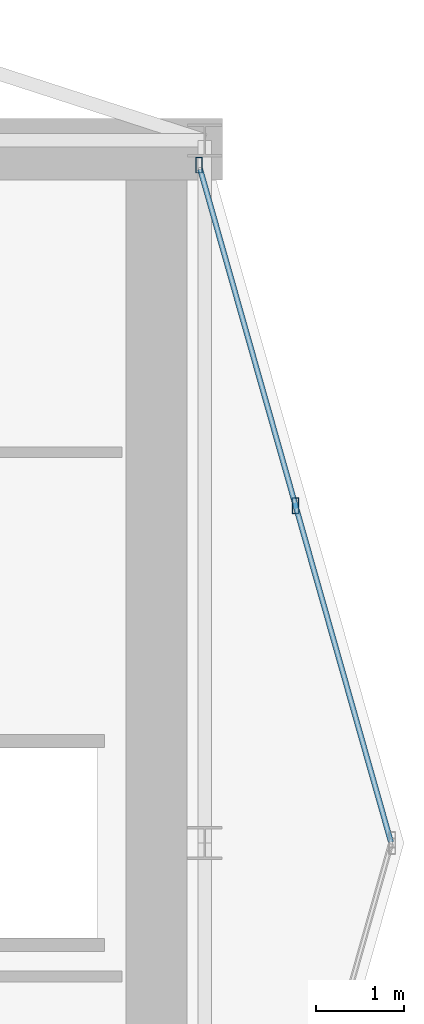
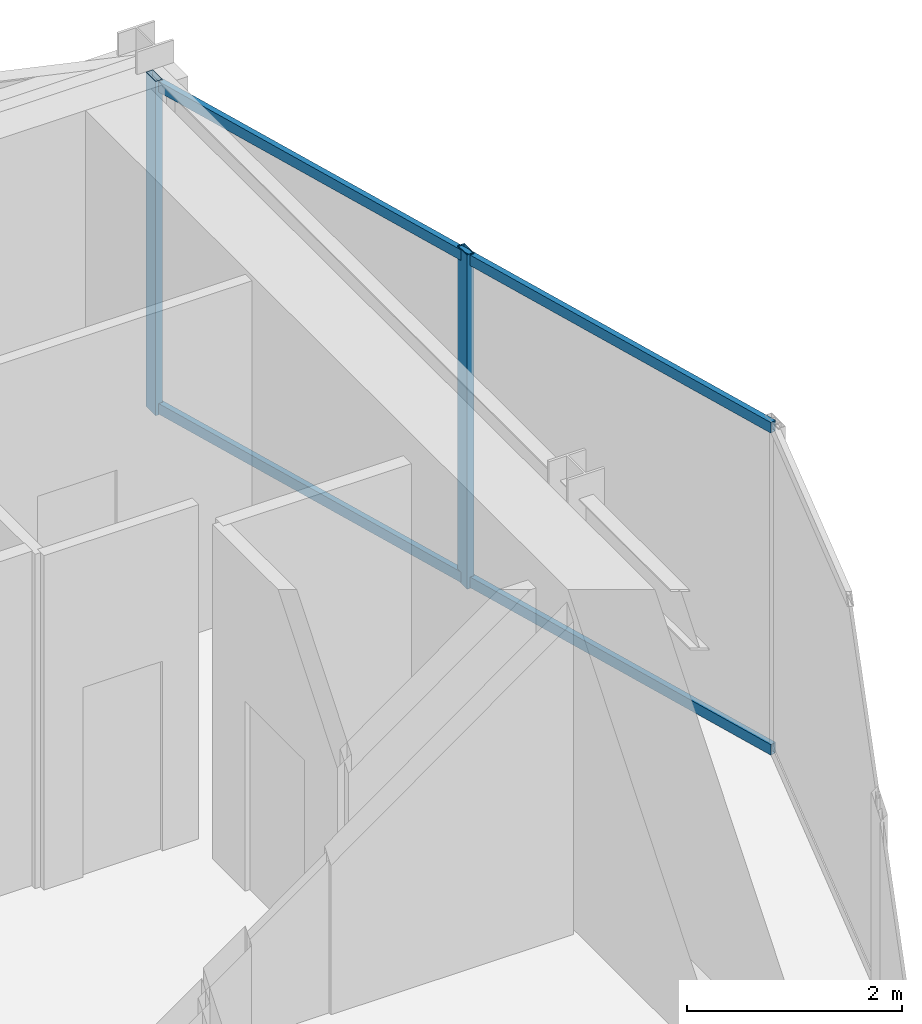
# One storey, part 13 of 18: 4 members, 1 element without a shape of its own.
"""IFC4 building model written with IfcOpenShell, lengths in metres."""

from ifc_helpers import new_model, si_unit, direction, frame, origin, origin_2d, place, context, subcontext, project, spatial, hollow_rectangle, extrude, material, layer, layer_set, material_profile, profile_set, type_object, element, aggregate, save


model = new_model("IFC4")

# Units and contexts
model_context = context("Model", 3, precision=1e-05, world=origin(), true_north=direction((0.0, 1.0)))
body_context = subcontext(model_context, "Body", "Model", "MODEL_VIEW")
ifc_project = project(units=[si_unit("LENGTHUNIT", "METRE"), si_unit("AREAUNIT", "SQUARE_METRE"), si_unit("VOLUMEUNIT", "CUBIC_METRE"), si_unit("PLANEANGLEUNIT", "RADIAN"), si_unit("MASSUNIT", "GRAM", prefix="KILO")], contexts=[model_context])

# Site, building, storey
site_placement = place(None, origin())
site = spatial("IfcSite", under=ifc_project, at=site_placement, CompositionType="ELEMENT")
building_placement = place(site_placement, origin())
building = spatial("IfcBuilding", under=site, at=building_placement, Name="Veymaron Broadcast Tower", CompositionType="ELEMENT")
storey_placement = place(building_placement, frame((0.0, 0.0, 236.39990234375)))
storey = spatial("IfcBuildingStorey", under=building, at=storey_placement, Name="L55", CompositionType="ELEMENT", Elevation=236.39990234375)

# Curtain wall, members
ifc_material_1 = material(Name="Anodised aluminium AA 6063-T6 and laminated low-E dark glass", Category="aluminium")
ifc_layer = layer(ifc_material_1, 0.179931640625)
ifc_layer_set = layer_set([ifc_layer], Name="Anodised aluminium AA 6063-T6 and laminated low-E dark glass")
curtain_wall_type = type_object("IfcCurtainWallType", Name="CW-SYS-05", PredefinedType="NOTDEFINED", material=ifc_layer_set)
curtain_wall_placement = place(storey_placement, origin())
curtain_wall = element("IfcCurtainWall", 1, at=curtain_wall_placement, inside=storey, type_object=curtain_wall_type, Name="L55 dark-glass curtain wall CW-L55-E5-1", PredefinedType="NOTDEFINED")
ifc_material_2 = material(Name="Anodised aluminium AA 6063-T6", Category="aluminium")
ifc_material_profile_1 = material_profile(ifc_material_2, hollow_rectangle(XDim=0.074951171875, YDim=0.179931640625, WallThickness=0.0048828125, at=origin_2d()), Name="AL180X75X5")
ifc_profile_set_1 = profile_set([ifc_material_profile_1], Name="Anodised aluminium AA 6063-T6")
member_type_1 = type_object("IfcMemberType", Name="CW-MUL-02", PredefinedType="MULLION", material=ifc_profile_set_1)
member_1_placement = place(storey_placement, frame((55.6337890625, 27.840576171875, 0.0), z_axis=(0.0, 0.0, 1.0), x_axis=(1.0, 0.0, 0.0)))
member_1 = element("IfcMember", 2, at=member_1_placement, type_object=member_type_1, Name="CW-L55-E5-1 mullion 1", PredefinedType="MULLION", context=body_context, shape_type="SweptSolid", body=[
    extrude(hollow_rectangle(XDim=0.074951171875, YDim=0.179931640625, WallThickness=0.0048828125, at=origin_2d()), origin(), (0.0, 0.0, 1.0), 3.7900390625),
])
member_2_placement = place(storey_placement, frame((54.5341796875, 31.71923828125, 0.0), z_axis=(0.0, 0.0, 1.0), x_axis=(1.0, 0.0, 0.0)))
member_2 = element("IfcMember", 3, at=member_2_placement, type_object=member_type_1, Name="CW-L55-E5-1 mullion 2", PredefinedType="MULLION", context=body_context, shape_type="SweptSolid", body=[
    extrude(hollow_rectangle(XDim=0.074951171875, YDim=0.179931640625, WallThickness=0.0048828125, at=origin_2d()), origin(), (0.0, 0.0, 1.0), 3.7900390625),
])
ifc_material_profile_2 = material_profile(ifc_material_2, hollow_rectangle(XDim=0.06005859375, YDim=0.1201171875, WallThickness=0.00390625, at=origin_2d()), Name="AL120X60X4")
ifc_profile_set_2 = profile_set([ifc_material_profile_2], Name="Anodised aluminium AA 6063-T6")
member_type_2 = type_object("IfcMemberType", Name="CW-TRN-02", PredefinedType="USERDEFINED", material=ifc_profile_set_2)
member_3_placement = place(storey_placement, frame((56.7197265625, 24.010009765625, 0.070068359375), z_axis=(-0.272772851998, 0.962078464167, 0.0), x_axis=(-0.962078464167, -0.272772851998, 0.0)))
member_3 = element("IfcMember", 4, at=member_3_placement, type_object=member_type_2, Name="CW-L55-E5-1 transom B", ObjectType="TRANSOM", PredefinedType="USERDEFINED", context=body_context, shape_type="SweptSolid", body=[
    extrude(hollow_rectangle(XDim=0.06005859375, YDim=0.1201171875, WallThickness=0.00390625, at=origin_2d()), origin(), (0.0, 0.0, 1.0), 7.963134765625),
])
member_4_placement = place(storey_placement, frame((56.7197265625, 24.010009765625, 3.72021484375), z_axis=(-0.272772851998, 0.962078464167, 0.0), x_axis=(-0.962078464167, -0.272772851998, 0.0)))
member_4 = element("IfcMember", 5, at=member_4_placement, type_object=member_type_2, Name="CW-L55-E5-1 transom T", ObjectType="TRANSOM", PredefinedType="USERDEFINED", context=body_context, shape_type="SweptSolid", body=[
    extrude(hollow_rectangle(XDim=0.06005859375, YDim=0.1201171875, WallThickness=0.00390625, at=origin_2d()), origin(), (0.0, 0.0, 1.0), 7.963134765625),
])
aggregate(curtain_wall, [member_1, member_2, member_3, member_4])

save(model, "model.ifc")
